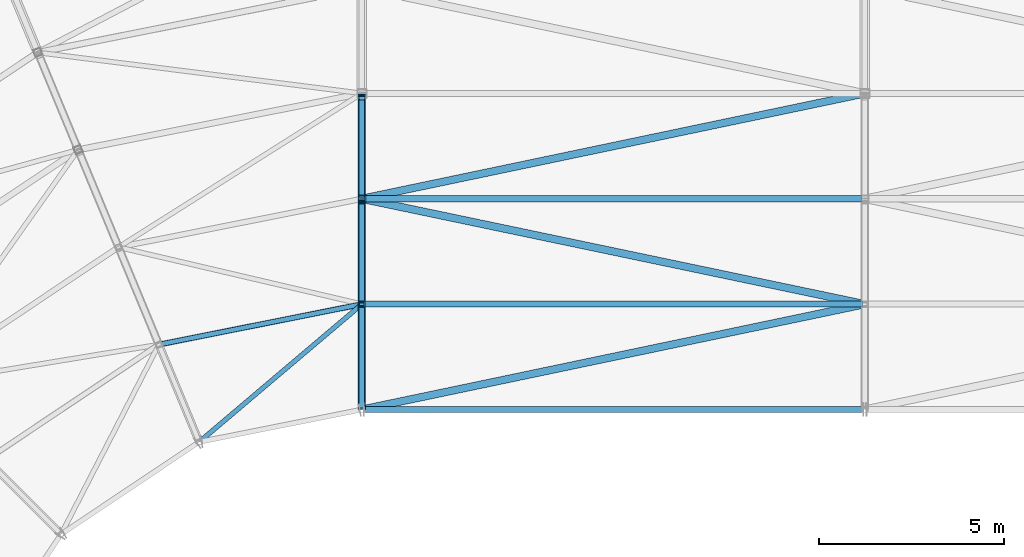
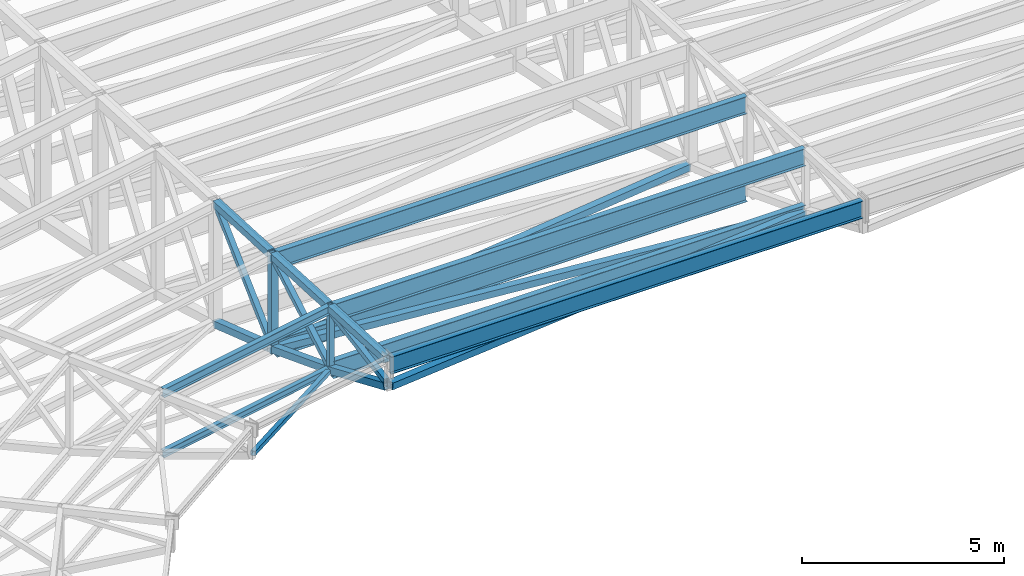
# One storey, part 74 of 278: 14 members, 8 beams.
"""IFC4 building model written with IfcOpenShell, lengths in metres."""

from ifc_helpers import new_model, si_unit, direction, frame, origin, origin_2d, place, context, subcontext, project, spatial, hollow_rectangle, i_section, extrude, material, material_profile, profile_set, type_object, element, save


model = new_model("IFC4")

# Units and contexts
model_context = context("Model", 3, precision=1e-05, world=origin(), true_north=direction((0.0, 1.0)))
body_context = subcontext(model_context, "Body", "Model", "MODEL_VIEW")
ifc_project = project(units=[si_unit("LENGTHUNIT", "METRE"), si_unit("AREAUNIT", "SQUARE_METRE"), si_unit("VOLUMEUNIT", "CUBIC_METRE"), si_unit("PLANEANGLEUNIT", "RADIAN"), si_unit("MASSUNIT", "GRAM", prefix="KILO")], contexts=[model_context])

# Site, building, storey
site_placement = place(None, origin())
site = spatial("IfcSite", under=ifc_project, at=site_placement, CompositionType="ELEMENT")
building_placement = place(site_placement, origin())
building = spatial("IfcBuilding", under=site, at=building_placement, Name="Ogive Plaza Stadium", CompositionType="ELEMENT")
storey_placement = place(building_placement, frame((0.0, 0.0, 29.0)))
storey = spatial("IfcBuildingStorey", under=building, at=storey_placement, Name="Roof", CompositionType="ELEMENT", Elevation=29.0)

# Members
ifc_material_1 = material(Name="Steel ASTM A500 Grade C", Category="steel")
ifc_material_profile_1 = material_profile(ifc_material_1, hollow_rectangle(XDim=0.126953125, YDim=0.126953125, WallThickness=0.005859375, at=origin_2d()), Name="HSS5X5X1/4")
ifc_profile_set_1 = profile_set([ifc_material_profile_1], Name="Steel ASTM A500 Grade C")
member_type_1 = type_object("IfcMemberType", Name="Roof plan brace HSS5X5X1/4", PredefinedType="BRACE", material=ifc_profile_set_1)
member_1_placement = place(storey_placement, frame((-38.34716796875, 63.170166015625, 6.51171875), z_axis=(0.746705370574, 0.632084810246, -0.207122867429), x_axis=(-0.646095429739, 0.763256638143, 0.0)))
element("IfcMember", 1, at=member_1_placement, inside=storey, type_object=member_type_1, Name="ROOF BRACE B31 1", PredefinedType="BRACE", context=body_context, shape_type="SweptSolid", body=[
    extrude(hollow_rectangle(XDim=0.126953125, YDim=0.126953125, WallThickness=0.005859375, at=origin_2d()), origin(), (0.0, 0.0, 1.0), 5.695556640625),
])
ifc_material_2 = material(Name="Steel ASTM A500 Grade C", Category="steel")
ifc_material_profile_2 = material_profile(ifc_material_2, hollow_rectangle(XDim=0.203125, YDim=0.203125, WallThickness=0.0087890625, at=origin_2d()), Name="HSS8X8X3/8")
ifc_profile_set_2 = profile_set([ifc_material_profile_2], Name="Steel ASTM A500 Grade C")
member_type_2 = type_object("IfcMemberType", Name="Roof plan brace HSS8X8X3/8", PredefinedType="BRACE", material=ifc_profile_set_2)
member_2_placement = place(storey_placement, frame((-33.932373046875, 64.01416015625, 6.5205078125), z_axis=(0.974983402681, 0.204327358854, -0.087508256301), x_axis=(-0.205114219191, 0.978738043138, 0.0)))
element("IfcMember", 2, at=member_2_placement, inside=storey, type_object=member_type_2, Name="ROOF BRACE B32 1", PredefinedType="BRACE", context=body_context, shape_type="SweptSolid", body=[
    extrude(hollow_rectangle(XDim=0.203125, YDim=0.203125, WallThickness=0.0087890625, at=origin_2d()), origin(), (0.0, 0.0, 1.0), 13.81005859375),
])
member_3_placement = place(storey_placement, frame((-20.4677734375, 66.8642578125, 5.30029296875), z_axis=(-0.975733868402, 0.204463279961, -0.078346571082), x_axis=(-0.205093700418, -0.978742343035, 0.0)))
element("IfcMember", 3, at=member_3_placement, inside=storey, type_object=member_type_2, Name="ROOF BRACE B32 2", PredefinedType="BRACE", context=body_context, shape_type="SweptSolid", body=[
    extrude(hollow_rectangle(XDim=0.203125, YDim=0.203125, WallThickness=0.0087890625, at=origin_2d()), origin(), (0.0, 0.0, 1.0), 13.7734375),
])
member_4_placement = place(storey_placement, frame((-33.906982421875, 69.719482421875, 4.207275390625), z_axis=(0.976515317582, 0.204641125651, -0.067378366106), x_axis=(-0.205107232709, 0.97873950727, 0.0)))
element("IfcMember", 4, at=member_4_placement, inside=storey, type_object=member_type_2, Name="ROOF BRACE B32 3", PredefinedType="BRACE", context=body_context, shape_type="SweptSolid", body=[
    extrude(hollow_rectangle(XDim=0.203125, YDim=0.203125, WallThickness=0.0087890625, at=origin_2d()), origin(), (0.0, 0.0, 1.0), 13.736328125),
])
ifc_material_3 = material(Name="Steel ASTM A992 Grade 50", Category="steel")
ifc_material_profile_3 = material_profile(ifc_material_3, i_section(OverallWidth=0.1650390625, OverallDepth=0.524658203125, WebThickness=0.0087890625, FlangeThickness=0.011474609375, at=origin_2d()), Name="W21X44")
ifc_profile_set_3 = profile_set([ifc_material_profile_3], Name="Steel ASTM A992 Grade 50")
member_type_3 = type_object("IfcMemberType", Name="Roof plan strut W21X44", PredefinedType="STRUT", material=ifc_profile_set_3)
member_5_placement = place(storey_placement, frame((-33.953857421875, 66.85009765625, 5.305908203125), z_axis=(1.0, 0.0, 0.0), x_axis=(0.0, 1.0, 0.0)))
element("IfcMember", 5, at=member_5_placement, inside=storey, type_object=member_type_3, Name="ROOF STRUT B32 1", PredefinedType="STRUT", context=body_context, shape_type="SweptSolid", body=[
    extrude(i_section(OverallWidth=0.1650390625, OverallDepth=0.524658203125, WebThickness=0.0087890625, FlangeThickness=0.011474609375, at=origin_2d()), origin(), (0.0, 0.0, 1.0), 13.507568359375),
])
member_6_placement = place(storey_placement, frame((-33.928466796875, 69.699951171875, 4.213623046875), z_axis=(1.0, 0.0, 0.0), x_axis=(0.0, 1.0, 0.0)))
element("IfcMember", 6, at=member_6_placement, inside=storey, type_object=member_type_3, Name="ROOF STRUT B32 2", PredefinedType="STRUT", context=body_context, shape_type="SweptSolid", body=[
    extrude(i_section(OverallWidth=0.1650390625, OverallDepth=0.524658203125, WebThickness=0.0087890625, FlangeThickness=0.011474609375, at=origin_2d()), origin(), (0.0, 0.0, 1.0), 13.456787109375),
])
ifc_material_4 = material(Name="Steel ASTM A992 Grade 50", Category="steel")
ifc_material_profile_4 = material_profile(ifc_material_4, i_section(OverallWidth=0.13330078125, OverallDepth=0.206787109375, WebThickness=0.005859375, FlangeThickness=0.00830078125, at=origin_2d()), Name="W8X18")
ifc_profile_set_4 = profile_set([ifc_material_profile_4], Name="Steel ASTM A992 Grade 50")
member_type_4 = type_object("IfcMemberType", Name="Roof plan strut W8X18", PredefinedType="STRUT", material=ifc_profile_set_4)
member_7_placement = place(storey_placement, frame((-39.431640625, 65.76953125, 5.305908203125), z_axis=(0.980782455646, 0.195104522491, 0.0), x_axis=(-0.195104522491, 0.980782455646, 0.0)))
element("IfcMember", 7, at=member_7_placement, inside=storey, type_object=member_type_4, Name="ROOF STRUT B31 1", PredefinedType="STRUT", context=body_context, shape_type="SweptSolid", body=[
    extrude(i_section(OverallWidth=0.13330078125, OverallDepth=0.206787109375, WebThickness=0.005859375, FlangeThickness=0.00830078125, at=origin_2d()), origin(), (0.0, 0.0, 1.0), 5.47705078125),
])
ifc_material_5 = material(Name="Steel ASTM A992 Grade 50", Category="steel")
ifc_material_profile_5 = material_profile(ifc_material_5, i_section(OverallWidth=0.14599609375, OverallDepth=0.25830078125, WebThickness=0.006103515625, FlangeThickness=0.009033203125, at=origin_2d()), Name="W10X22")
ifc_profile_set_5 = profile_set([ifc_material_profile_5], Name="Steel ASTM A992 Grade 50")
member_type_5 = type_object("IfcMemberType", Name="Roof purlin W10X22", PredefinedType="PURLIN", material=ifc_profile_set_5)
member_8_placement = place(storey_placement, frame((-39.430419921875, 65.769775390625, 7.1533203125), z_axis=(0.980782547175, 0.195104062379, 0.0), x_axis=(-0.195104062379, 0.980782547175, 0.0)))
element("IfcMember", 8, at=member_8_placement, inside=storey, type_object=member_type_5, Name="ROOF PURLIN B31 1", PredefinedType="PURLIN", context=body_context, shape_type="SweptSolid", body=[
    extrude(i_section(OverallWidth=0.14599609375, OverallDepth=0.25830078125, WebThickness=0.006103515625, FlangeThickness=0.009033203125, at=origin_2d()), origin(), (0.0, 0.0, 1.0), 5.474609375),
])
ifc_material_6 = material(Name="Steel ASTM A992 Grade 50", Category="steel")
ifc_material_profile_6 = material_profile(ifc_material_6, i_section(OverallWidth=0.1650390625, OverallDepth=0.524658203125, WebThickness=0.0087890625, FlangeThickness=0.011474609375, at=origin_2d()), Name="W21X44")
ifc_profile_set_6 = profile_set([ifc_material_profile_6], Name="Steel ASTM A992 Grade 50")
member_type_6 = type_object("IfcMemberType", Name="Roof purlin W21X44", PredefinedType="PURLIN", material=ifc_profile_set_6)
member_9_placement = place(storey_placement, frame((-33.953857421875, 66.85009765625, 7.02001953125), z_axis=(1.0, 0.0, 0.0), x_axis=(0.0, 1.0, 0.0)))
element("IfcMember", 9, at=member_9_placement, inside=storey, type_object=member_type_6, Name="ROOF PURLIN B32 1", PredefinedType="PURLIN", context=body_context, shape_type="SweptSolid", body=[
    extrude(i_section(OverallWidth=0.1650390625, OverallDepth=0.524658203125, WebThickness=0.0087890625, FlangeThickness=0.011474609375, at=origin_2d()), origin(), (0.0, 0.0, 1.0), 13.507568359375),
])
member_10_placement = place(storey_placement, frame((-33.928466796875, 69.699951171875, 6.877685546875), z_axis=(1.0, 0.0, 0.0), x_axis=(0.0, 1.0, 0.0)))
element("IfcMember", 10, at=member_10_placement, inside=storey, type_object=member_type_6, Name="ROOF PURLIN B32 2", PredefinedType="PURLIN", context=body_context, shape_type="SweptSolid", body=[
    extrude(i_section(OverallWidth=0.1650390625, OverallDepth=0.524658203125, WebThickness=0.0087890625, FlangeThickness=0.011474609375, at=origin_2d()), origin(), (0.0, 0.0, 1.0), 13.456787109375),
])
ifc_material_7 = material(Name="Steel ASTM A992 Grade 50", Category="steel")
ifc_material_profile_7 = material_profile(ifc_material_7, i_section(OverallWidth=0.1650390625, OverallDepth=0.524658203125, WebThickness=0.0087890625, FlangeThickness=0.011474609375, at=origin_2d()), Name="W21X44")
ifc_profile_set_7 = profile_set([ifc_material_profile_7], Name="Steel ASTM A992 Grade 50")
member_type_7 = type_object("IfcMemberType", Name="Roof tip ring beam W21X44", PredefinedType="MEMBER", material=ifc_profile_set_7)
member_11_placement = place(storey_placement, frame((-33.953857421875, 64.0, 7.16259765625), z_axis=(1.0, 0.0, 0.0), x_axis=(0.0, 1.0, 0.0)))
element("IfcMember", 11, at=member_11_placement, inside=storey, type_object=member_type_7, Name="RING BEAM B32", PredefinedType="MEMBER", context=body_context, shape_type="SweptSolid", body=[
    extrude(i_section(OverallWidth=0.1650390625, OverallDepth=0.524658203125, WebThickness=0.0087890625, FlangeThickness=0.011474609375, at=origin_2d()), origin(), (0.0, 0.0, 1.0), 13.507568359375),
])

# Beams
ifc_material_8 = material(Name="Steel ASTM A500 Grade C", Category="steel")
ifc_material_profile_8 = material_profile(ifc_material_8, hollow_rectangle(XDim=0.203125, YDim=0.203125, WallThickness=0.01171875, at=origin_2d()), Name="HSS8X8X1/2")
ifc_profile_set_8 = profile_set([ifc_material_profile_8], Name="Steel ASTM A500 Grade C")
beam_type_1 = type_object("IfcBeamType", Name="Roof truss bottom chord HSS8X8X1/2", PredefinedType="BEAM", material=ifc_profile_set_8)
beam_1_placement = place(storey_placement, frame((-34.0, 64.0400390625, 6.518310546875), z_axis=(0.0, 0.919215459426, -0.393754922702), x_axis=(-1.0, 0.0, 0.0)))
element("IfcBeam", 12, at=beam_1_placement, inside=storey, type_object=beam_type_1, Name="ROOF TRUSS T32 BOTTOM CHORD 1", PredefinedType="BEAM", context=body_context, shape_type="SweptSolid", body=[
    extrude(hollow_rectangle(XDim=0.203125, YDim=0.203125, WallThickness=0.01171875, at=origin_2d()), origin(), (0.0, 0.0, 1.0), 3.04736328125),
])
beam_2_placement = place(storey_placement, frame((-34.0, 66.886474609375, 5.299072265625), z_axis=(0.0, 0.933780874892, -0.357845326484), x_axis=(-1.0, 0.0, 0.0)))
element("IfcBeam", 13, at=beam_2_placement, inside=storey, type_object=beam_type_1, Name="ROOF TRUSS T32 BOTTOM CHORD 2", PredefinedType="BEAM", context=body_context, shape_type="SweptSolid", body=[
    extrude(hollow_rectangle(XDim=0.203125, YDim=0.203125, WallThickness=0.01171875, at=origin_2d()), origin(), (0.0, 0.0, 1.0), 2.97314453125),
])
beam_3_placement = place(storey_placement, frame((-34.0, 69.74072265625, 4.20556640625), z_axis=(0.0, 0.947299736415, -0.320348574817), x_axis=(-1.0, 0.0, 0.0)))
element("IfcBeam", 14, at=beam_3_placement, inside=storey, type_object=beam_type_1, Name="ROOF TRUSS T32 BOTTOM CHORD 3", PredefinedType="BEAM", context=body_context, shape_type="SweptSolid", body=[
    extrude(hollow_rectangle(XDim=0.203125, YDim=0.203125, WallThickness=0.01171875, at=origin_2d()), origin(), (0.0, 0.0, 1.0), 2.912841796875),
])

# Members
ifc_material_9 = material(Name="Steel ASTM A500 Grade C", Category="steel")
ifc_material_profile_9 = material_profile(ifc_material_9, hollow_rectangle(XDim=0.15234375, YDim=0.15234375, WallThickness=0.005859375, at=origin_2d()), Name="HSS6X6X1/4")
ifc_profile_set_9 = profile_set([ifc_material_profile_9], Name="Steel ASTM A500 Grade C")
member_type_8 = type_object("IfcMemberType", Name="Roof truss diagonal HSS6X6X1/4", PredefinedType="BRACE", material=ifc_profile_set_9)
member_12_placement = place(storey_placement, frame((-34.0, 64.076171875, 6.628173828125), z_axis=(0.0, 0.986299671123, 0.164963507307), x_axis=(-1.0, 0.0, 0.0)))
element("IfcMember", 15, at=member_12_placement, inside=storey, type_object=member_type_8, Name="ROOF TRUSS T32 DIAGONAL 1", PredefinedType="BRACE", context=body_context, shape_type="SweptSolid", body=[
    extrude(hollow_rectangle(XDim=0.15234375, YDim=0.15234375, WallThickness=0.005859375, at=origin_2d()), origin(), (0.0, 0.0, 1.0), 2.73486328125),
])
member_13_placement = place(storey_placement, frame((-34.0, 66.92626953125, 5.407470703125), z_axis=(0.0, 0.8679111184, 0.496719529069), x_axis=(-1.0, 0.0, 0.0)))
element("IfcMember", 16, at=member_13_placement, inside=storey, type_object=member_type_8, Name="ROOF TRUSS T32 DIAGONAL 2", PredefinedType="BRACE", context=body_context, shape_type="SweptSolid", body=[
    extrude(hollow_rectangle(XDim=0.15234375, YDim=0.15234375, WallThickness=0.005859375, at=origin_2d()), origin(), (0.0, 0.0, 1.0), 3.078857421875),
])
ifc_material_10 = material(Name="Steel ASTM A500 Grade C", Category="steel")
ifc_material_profile_10 = material_profile(ifc_material_10, hollow_rectangle(XDim=0.15234375, YDim=0.15234375, WallThickness=0.0087890625, at=origin_2d()), Name="HSS6X6X3/8")
ifc_profile_set_10 = profile_set([ifc_material_profile_10], Name="Steel ASTM A500 Grade C")
member_type_9 = type_object("IfcMemberType", Name="Roof truss diagonal HSS6X6X3/8", PredefinedType="BRACE", material=ifc_profile_set_10)
member_14_placement = place(storey_placement, frame((-34.0, 69.801513671875, 4.315185546875), z_axis=(0.0, 0.726588919749, 0.687072442832), x_axis=(-1.0, 0.0, 0.0)))
element("IfcMember", 17, at=member_14_placement, inside=storey, type_object=member_type_9, Name="ROOF TRUSS T32 DIAGONAL 3", PredefinedType="BRACE", context=body_context, shape_type="SweptSolid", body=[
    extrude(hollow_rectangle(XDim=0.15234375, YDim=0.15234375, WallThickness=0.0087890625, at=origin_2d()), origin(), (0.0, 0.0, 1.0), 3.608154296875),
])

# Beams
ifc_material_11 = material(Name="Steel ASTM A500 Grade C", Category="steel")
ifc_material_profile_11 = material_profile(ifc_material_11, hollow_rectangle(XDim=0.15234375, YDim=0.15234375, WallThickness=0.0087890625, at=origin_2d()), Name="HSS6X6X3/8")
ifc_profile_set_11 = profile_set([ifc_material_profile_11], Name="Steel ASTM A500 Grade C")
beam_type_2 = type_object("IfcBeamType", Name="Roof truss post HSS6X6X3/8", PredefinedType="BEAM", material=ifc_profile_set_11)
beam_4_placement = place(storey_placement, frame((-34.0, 66.85009765625, 5.204345703125), z_axis=(0.0, 0.0, 1.0), x_axis=(-1.0, 0.0, 0.0)))
element("IfcBeam", 18, at=beam_4_placement, inside=storey, type_object=beam_type_2, Name="ROOF TRUSS T32 POST 2", PredefinedType="BEAM", context=body_context, shape_type="SweptSolid", body=[
    extrude(hollow_rectangle(XDim=0.15234375, YDim=0.15234375, WallThickness=0.0087890625, at=origin_2d()), origin(), (0.0, 0.0, 1.0), 2.078125),
])
ifc_material_12 = material(Name="Steel ASTM A500 Grade C", Category="steel")
ifc_material_profile_12 = material_profile(ifc_material_12, hollow_rectangle(XDim=0.203125, YDim=0.203125, WallThickness=0.0087890625, at=origin_2d()), Name="HSS8X8X3/8")
ifc_profile_set_12 = profile_set([ifc_material_profile_12], Name="Steel ASTM A500 Grade C")
beam_type_3 = type_object("IfcBeamType", Name="Roof truss post HSS8X8X3/8", PredefinedType="BEAM", material=ifc_profile_set_12)
beam_5_placement = place(storey_placement, frame((-34.0, 69.699951171875, 4.112060546875), z_axis=(0.0, 0.0, 1.0), x_axis=(-1.0, 0.0, 0.0)))
element("IfcBeam", 19, at=beam_5_placement, inside=storey, type_object=beam_type_3, Name="ROOF TRUSS T32 POST 3", PredefinedType="BEAM", context=body_context, shape_type="SweptSolid", body=[
    extrude(hollow_rectangle(XDim=0.203125, YDim=0.203125, WallThickness=0.0087890625, at=origin_2d()), origin(), (0.0, 0.0, 1.0), 3.02783203125),
])
ifc_material_13 = material(Name="Steel ASTM A500 Grade C", Category="steel")
ifc_material_profile_13 = material_profile(ifc_material_13, hollow_rectangle(XDim=0.203125, YDim=0.203125, WallThickness=0.0087890625, at=origin_2d()), Name="HSS8X8X3/8")
ifc_profile_set_13 = profile_set([ifc_material_profile_13], Name="Steel ASTM A500 Grade C")
beam_type_4 = type_object("IfcBeamType", Name="Roof truss top chord HSS8X8X3/8", PredefinedType="BEAM", material=ifc_profile_set_13)
beam_6_placement = place(storey_placement, frame((-34.0, 64.041259765625, 7.3212890625), z_axis=(0.0, 0.998751459876, -0.049955193873), x_axis=(-1.0, 0.0, 0.0)))
element("IfcBeam", 20, at=beam_6_placement, inside=storey, type_object=beam_type_4, Name="ROOF TRUSS T32 TOP CHORD 1", PredefinedType="BEAM", context=body_context, shape_type="SweptSolid", body=[
    extrude(hollow_rectangle(XDim=0.203125, YDim=0.203125, WallThickness=0.0087890625, at=origin_2d()), origin(), (0.0, 0.0, 1.0), 2.77099609375),
])
beam_7_placement = place(storey_placement, frame((-34.0, 66.89111328125, 7.1787109375), z_axis=(0.0, 0.998752338878, -0.049937616944), x_axis=(-1.0, 0.0, 0.0)))
element("IfcBeam", 21, at=beam_7_placement, inside=storey, type_object=beam_type_4, Name="ROOF TRUSS T32 TOP CHORD 2", PredefinedType="BEAM", context=body_context, shape_type="SweptSolid", body=[
    extrude(hollow_rectangle(XDim=0.203125, YDim=0.203125, WallThickness=0.0087890625, at=origin_2d()), origin(), (0.0, 0.0, 1.0), 2.76220703125),
])
beam_8_placement = place(storey_placement, frame((-34.0, 69.75, 7.035888671875), z_axis=(0.0, 0.998748798523, -0.05000837379), x_axis=(-1.0, 0.0, 0.0)))
element("IfcBeam", 22, at=beam_8_placement, inside=storey, type_object=beam_type_4, Name="ROOF TRUSS T32 TOP CHORD 3", PredefinedType="BEAM", context=body_context, shape_type="SweptSolid", body=[
    extrude(hollow_rectangle(XDim=0.203125, YDim=0.203125, WallThickness=0.0087890625, at=origin_2d()), origin(), (0.0, 0.0, 1.0), 2.75341796875),
])

save(model, "model.ifc")
